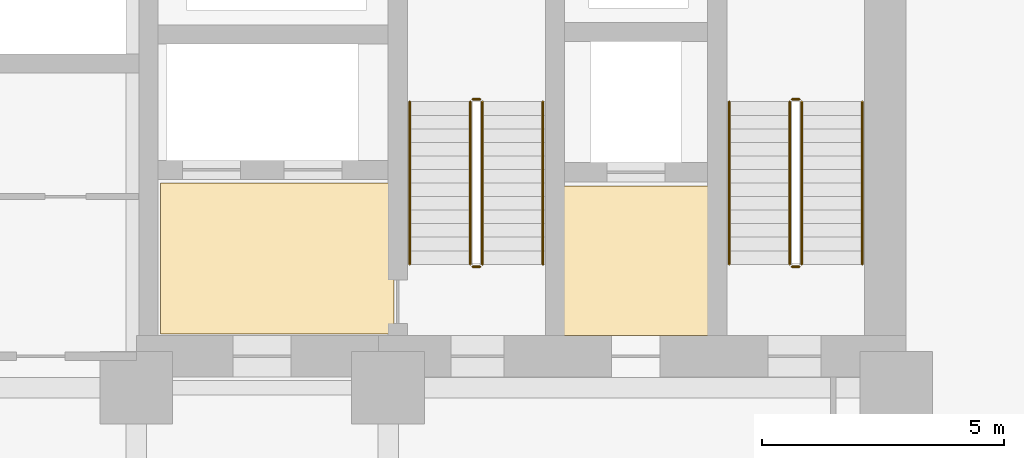
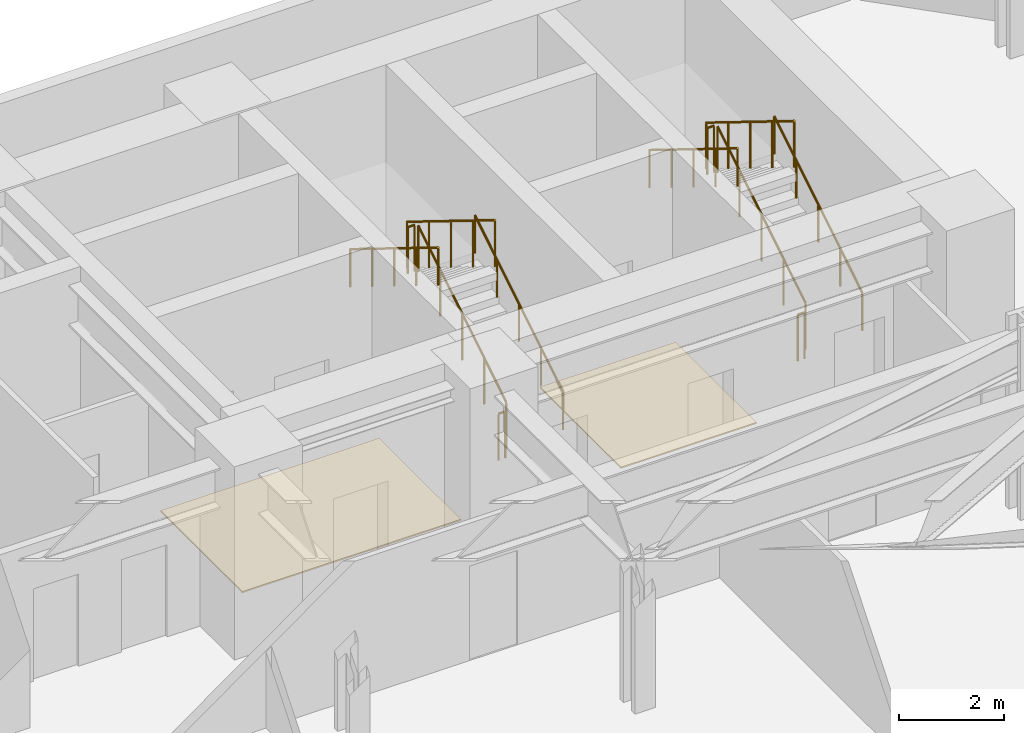
# One storey, part 30 of 30: 12 railings, 2 coverings.
"""IFC4 building model written with IfcOpenShell, lengths in metres."""

from ifc_helpers import new_model, si_unit, direction, frame, origin, origin_2d, place, context, subcontext, project, spatial, polyline, circle, outline, extrude, material, layer, layer_set, type_object, element, save


model = new_model("IFC4")

# Units and contexts
model_context = context("Model", 3, precision=1e-05, world=origin(), true_north=direction((0.0, 1.0)))
body_context = subcontext(model_context, "Body", "Model", "MODEL_VIEW")
ifc_project = project(units=[si_unit("LENGTHUNIT", "METRE"), si_unit("AREAUNIT", "SQUARE_METRE"), si_unit("VOLUMEUNIT", "CUBIC_METRE"), si_unit("PLANEANGLEUNIT", "RADIAN"), si_unit("MASSUNIT", "GRAM", prefix="KILO")], contexts=[model_context])

# Site, building, storey
site_placement = place(None, origin())
site = spatial("IfcSite", under=ifc_project, at=site_placement, CompositionType="ELEMENT")
building_placement = place(site_placement, origin())
building = spatial("IfcBuilding", under=site, at=building_placement, Name="Kravanh Interchange Tower", CompositionType="ELEMENT")
storey_placement = place(building_placement, frame((0.0, 0.0, 19.800048828125)))
storey = spatial("IfcBuildingStorey", under=building, at=storey_placement, Name="L04", CompositionType="ELEMENT", Elevation=19.800048828125)

# Coverings
ifc_material_1 = material(Name="Cementitious Terrazzo Tile")
ifc_layer_1 = layer(ifc_material_1, 0.030029296875)
ifc_layer_set_1 = layer_set([ifc_layer_1], Name="Honed Terrazzo Lobby Flooring 30mm")
covering_type = type_object("IfcCoveringType", Name="Honed Terrazzo Lobby Flooring 30mm", PredefinedType="FLOORING", material=ifc_layer_set_1)
covering_1_placement = place(storey_placement, origin())
element("IfcCovering", 1, at=covering_1_placement, inside=storey, type_object=covering_type, Name="L04 Service Lift Lobby Floor Finish", PredefinedType="FLOORING", context=body_context, shape_type="SweptSolid", body=[
    extrude(outline(polyline([(59.6298828125, 41.52001953125), (62.6201171875, 41.52001953125), (62.6201171875, 38.429931640625), (59.6298828125, 38.429931640625), (59.6298828125, 41.52001953125)])), origin(), (0.0, 0.0, 1.0), 0.030029296875),
])
covering_2_placement = place(storey_placement, origin())
element("IfcCovering", 2, at=covering_2_placement, inside=storey, type_object=covering_type, Name="L04 Firefighting Lobby Floor Finish", PredefinedType="FLOORING", context=body_context, shape_type="SweptSolid", body=[
    extrude(outline(polyline([(56.1201171875, 38.4599609375), (51.300048828125, 38.4599609375), (51.300048828125, 41.580078125), (56.1201171875, 41.580078125), (56.1201171875, 38.4599609375)])), origin(), (0.0, 0.0, 1.0), 0.030029296875),
])

# Railings
ifc_material_2 = material(Name="Structural Steel S355", Category="steel")
ifc_layer_2 = layer(ifc_material_2, 0.050048828125)
ifc_layer_set_2 = layer_set([ifc_layer_2], Name="Stair Well Guardrail Structural Steel S355 1100mm")
railing_type_1 = type_object("IfcRailingType", Name="Stair Well Guardrail Structural Steel S355 1100mm", PredefinedType="GUARDRAIL", material=ifc_layer_set_2)
railing_1_placement = place(storey_placement, frame((64.550048828125, 39.89990234375, 0.173095703125)))
element("IfcRailing", 3, at=railing_1_placement, inside=storey, type_object=railing_type_1, Name="L04 ST1 stair guard 1", PredefinedType="GUARDRAIL", context=body_context, shape_type="SweptSolid", body=[
    extrude(circle(Radius=0.02392578125, at=origin_2d()), frame((0.0, 0.0, 1.076171875), z_axis=(0.0, 0.850623216509, 0.525775754039), x_axis=(-1.0, 0.0, 0.0)), (0.0, 0.0, 1.0), 3.9501953125),
    extrude(circle(Radius=0.02099609375, at=origin_2d()), origin(), (0.0, 0.0, 1.0), 1.052001953125),
    extrude(circle(Radius=0.02099609375, at=origin_2d()), frame((0.0, 0.840087890625, 0.519287109375)), (0.0, 0.0, 1.0), 1.052001953125),
    extrude(circle(Radius=0.02099609375, at=origin_2d()), frame((0.0, 1.68017578125, 1.03857421875)), (0.0, 0.0, 1.0), 1.052001953125),
    extrude(circle(Radius=0.02099609375, at=origin_2d()), frame((0.0, 2.52001953125, 1.5576171875)), (0.0, 0.0, 1.0), 1.052001953125),
    extrude(circle(Radius=0.02099609375, at=origin_2d()), frame((0.0, 3.360107421875, 2.076904296875)), (0.0, 0.0, 1.0), 1.052001953125),
])
railing_2_placement = place(storey_placement, frame((64.5, 43.31005859375, 2.25)))
element("IfcRailing", 4, at=railing_2_placement, inside=storey, type_object=railing_type_1, Name="L04 ST1 stair guard 2", PredefinedType="GUARDRAIL", context=body_context, shape_type="SweptSolid", body=[
    extrude(circle(Radius=0.02392578125, at=origin_2d()), frame((0.0, 0.0, 1.076171875), z_axis=(-1.0, 0.0, 0.0), x_axis=(0.0, -1.0, 0.0)), (0.0, 0.0, 1.0), 0.14990234375),
    extrude(circle(Radius=0.02099609375, at=origin_2d()), origin(), (0.0, 0.0, 1.0), 1.052001953125),
    extrude(circle(Radius=0.02099609375, at=origin_2d()), frame((-0.14990234375, 0.0, 0.0)), (0.0, 0.0, 1.0), 1.052001953125),
])
railing_3_placement = place(storey_placement, frame((64.300048828125, 43.260009765625, 2.423095703125)))
element("IfcRailing", 5, at=railing_3_placement, inside=storey, type_object=railing_type_1, Name="L04 ST1 stair guard 3", PredefinedType="GUARDRAIL", context=body_context, shape_type="SweptSolid", body=[
    extrude(circle(Radius=0.02392578125, at=origin_2d()), frame((0.0, 0.0, 1.076171875), z_axis=(0.0, -0.850623216509, 0.525775754039), x_axis=(1.0, 0.0, 0.0)), (0.0, 0.0, 1.0), 3.9501953125),
    extrude(circle(Radius=0.02099609375, at=origin_2d()), origin(), (0.0, 0.0, 1.0), 1.052001953125),
    extrude(circle(Radius=0.02099609375, at=origin_2d()), frame((0.0, -0.840087890625, 0.519287109375)), (0.0, 0.0, 1.0), 1.052001953125),
    extrude(circle(Radius=0.02099609375, at=origin_2d()), frame((0.0, -1.68017578125, 1.03857421875)), (0.0, 0.0, 1.0), 1.052001953125),
    extrude(circle(Radius=0.02099609375, at=origin_2d()), frame((0.0, -2.52001953125, 1.5576171875)), (0.0, 0.0, 1.0), 1.052001953125),
    extrude(circle(Radius=0.02099609375, at=origin_2d()), frame((0.0, -3.360107421875, 2.076904296875)), (0.0, 0.0, 1.0), 1.052001953125),
])
railing_4_placement = place(storey_placement, frame((64.5, 39.85009765625, 0.0)))
element("IfcRailing", 6, at=railing_4_placement, inside=storey, type_object=railing_type_1, Name="L04 ST1 stair guard 4", PredefinedType="GUARDRAIL", context=body_context, shape_type="SweptSolid", body=[
    extrude(circle(Radius=0.02392578125, at=origin_2d()), frame((0.0, 0.0, 1.076171875), z_axis=(-1.0, 0.0, 0.0), x_axis=(0.0, -1.0, 0.0)), (0.0, 0.0, 1.0), 0.14990234375),
    extrude(circle(Radius=0.02099609375, at=origin_2d()), origin(), (0.0, 0.0, 1.0), 1.052001953125),
    extrude(circle(Radius=0.02099609375, at=origin_2d()), frame((-0.14990234375, 0.0, 0.0)), (0.0, 0.0, 1.0), 1.052001953125),
])
railing_5_placement = place(storey_placement, frame((57.949951171875, 39.89990234375, 0.173095703125)))
element("IfcRailing", 7, at=railing_5_placement, inside=storey, type_object=railing_type_1, Name="L04 ST2 stair guard 1", PredefinedType="GUARDRAIL", context=body_context, shape_type="SweptSolid", body=[
    extrude(circle(Radius=0.02392578125, at=origin_2d()), frame((0.0, 0.0, 1.076171875), z_axis=(0.0, 0.850623216509, 0.525775754039), x_axis=(-1.0, 0.0, 0.0)), (0.0, 0.0, 1.0), 3.9501953125),
    extrude(circle(Radius=0.02099609375, at=origin_2d()), origin(), (0.0, 0.0, 1.0), 1.052001953125),
    extrude(circle(Radius=0.02099609375, at=origin_2d()), frame((0.0, 0.840087890625, 0.519287109375)), (0.0, 0.0, 1.0), 1.052001953125),
    extrude(circle(Radius=0.02099609375, at=origin_2d()), frame((0.0, 1.68017578125, 1.03857421875)), (0.0, 0.0, 1.0), 1.052001953125),
    extrude(circle(Radius=0.02099609375, at=origin_2d()), frame((0.0, 2.52001953125, 1.5576171875)), (0.0, 0.0, 1.0), 1.052001953125),
    extrude(circle(Radius=0.02099609375, at=origin_2d()), frame((0.0, 3.360107421875, 2.076904296875)), (0.0, 0.0, 1.0), 1.052001953125),
])
railing_6_placement = place(storey_placement, frame((57.89990234375, 43.31005859375, 2.25)))
element("IfcRailing", 8, at=railing_6_placement, inside=storey, type_object=railing_type_1, Name="L04 ST2 stair guard 2", PredefinedType="GUARDRAIL", context=body_context, shape_type="SweptSolid", body=[
    extrude(circle(Radius=0.02392578125, at=origin_2d()), frame((0.0, 0.0, 1.076171875), z_axis=(-1.0, 0.0, 0.0), x_axis=(0.0, -1.0, 0.0)), (0.0, 0.0, 1.0), 0.14990234375),
    extrude(circle(Radius=0.02099609375, at=origin_2d()), origin(), (0.0, 0.0, 1.0), 1.052001953125),
    extrude(circle(Radius=0.02099609375, at=origin_2d()), frame((-0.14990234375, 0.0, 0.0)), (0.0, 0.0, 1.0), 1.052001953125),
])
railing_7_placement = place(storey_placement, frame((57.699951171875, 43.260009765625, 2.423095703125)))
element("IfcRailing", 9, at=railing_7_placement, inside=storey, type_object=railing_type_1, Name="L04 ST2 stair guard 3", PredefinedType="GUARDRAIL", context=body_context, shape_type="SweptSolid", body=[
    extrude(circle(Radius=0.02392578125, at=origin_2d()), frame((0.0, 0.0, 1.076171875), z_axis=(0.0, -0.850623216509, 0.525775754039), x_axis=(1.0, 0.0, 0.0)), (0.0, 0.0, 1.0), 3.9501953125),
    extrude(circle(Radius=0.02099609375, at=origin_2d()), origin(), (0.0, 0.0, 1.0), 1.052001953125),
    extrude(circle(Radius=0.02099609375, at=origin_2d()), frame((0.0, -0.840087890625, 0.519287109375)), (0.0, 0.0, 1.0), 1.052001953125),
    extrude(circle(Radius=0.02099609375, at=origin_2d()), frame((0.0, -1.68017578125, 1.03857421875)), (0.0, 0.0, 1.0), 1.052001953125),
    extrude(circle(Radius=0.02099609375, at=origin_2d()), frame((0.0, -2.52001953125, 1.5576171875)), (0.0, 0.0, 1.0), 1.052001953125),
    extrude(circle(Radius=0.02099609375, at=origin_2d()), frame((0.0, -3.360107421875, 2.076904296875)), (0.0, 0.0, 1.0), 1.052001953125),
])
railing_8_placement = place(storey_placement, frame((57.89990234375, 39.85009765625, 0.0)))
element("IfcRailing", 10, at=railing_8_placement, inside=storey, type_object=railing_type_1, Name="L04 ST2 stair guard 4", PredefinedType="GUARDRAIL", context=body_context, shape_type="SweptSolid", body=[
    extrude(circle(Radius=0.02392578125, at=origin_2d()), frame((0.0, 0.0, 1.076171875), z_axis=(-1.0, 0.0, 0.0), x_axis=(0.0, -1.0, 0.0)), (0.0, 0.0, 1.0), 0.14990234375),
    extrude(circle(Radius=0.02099609375, at=origin_2d()), origin(), (0.0, 0.0, 1.0), 1.052001953125),
    extrude(circle(Radius=0.02099609375, at=origin_2d()), frame((-0.14990234375, 0.0, 0.0)), (0.0, 0.0, 1.0), 1.052001953125),
])
ifc_material_3 = material(Name="Stainless Steel 304", Category="steel")
ifc_layer_3 = layer(ifc_material_3, 0.044921875)
ifc_layer_set_3 = layer_set([ifc_layer_3], Name="Tubular Stair Handrail Stainless 304 900mm")
railing_type_2 = type_object("IfcRailingType", Name="Tubular Stair Handrail Stainless 304 900mm", PredefinedType="HANDRAIL", material=ifc_layer_set_3)
railing_9_placement = place(storey_placement, frame((65.800048828125, 39.89990234375, 0.173095703125)))
element("IfcRailing", 11, at=railing_9_placement, inside=storey, type_object=railing_type_2, Name="L04 ST1 stair handrail 1", PredefinedType="HANDRAIL", context=body_context, shape_type="SweptSolid", body=[
    extrude(circle(Radius=0.02392578125, at=origin_2d()), frame((0.0, 0.0, 0.8759765625), z_axis=(0.0, 0.850623216509, 0.525775754039), x_axis=(-1.0, 0.0, 0.0)), (0.0, 0.0, 1.0), 3.9501953125),
    extrude(circle(Radius=0.02099609375, at=origin_2d()), origin(), (0.0, 0.0, 1.0), 0.851806640625),
    extrude(circle(Radius=0.02099609375, at=origin_2d()), frame((0.0, 0.840087890625, 0.519287109375)), (0.0, 0.0, 1.0), 0.851806640625),
    extrude(circle(Radius=0.02099609375, at=origin_2d()), frame((0.0, 1.68017578125, 1.03857421875)), (0.0, 0.0, 1.0), 0.851806640625),
    extrude(circle(Radius=0.02099609375, at=origin_2d()), frame((0.0, 2.52001953125, 1.5576171875)), (0.0, 0.0, 1.0), 0.851806640625),
    extrude(circle(Radius=0.02099609375, at=origin_2d()), frame((0.0, 3.360107421875, 2.076904296875)), (0.0, 0.0, 1.0), 0.851806640625),
])
railing_10_placement = place(storey_placement, frame((63.050048828125, 43.260009765625, 2.423095703125)))
element("IfcRailing", 12, at=railing_10_placement, inside=storey, type_object=railing_type_2, Name="L04 ST1 stair handrail 2", PredefinedType="HANDRAIL", context=body_context, shape_type="SweptSolid", body=[
    extrude(circle(Radius=0.02392578125, at=origin_2d()), frame((0.0, 0.0, 0.8759765625), z_axis=(0.0, -0.850623216509, 0.525775754039), x_axis=(1.0, 0.0, 0.0)), (0.0, 0.0, 1.0), 3.9501953125),
    extrude(circle(Radius=0.02099609375, at=origin_2d()), origin(), (0.0, 0.0, 1.0), 0.851806640625),
    extrude(circle(Radius=0.02099609375, at=origin_2d()), frame((0.0, -0.840087890625, 0.519287109375)), (0.0, 0.0, 1.0), 0.851806640625),
    extrude(circle(Radius=0.02099609375, at=origin_2d()), frame((0.0, -1.68017578125, 1.03857421875)), (0.0, 0.0, 1.0), 0.851806640625),
    extrude(circle(Radius=0.02099609375, at=origin_2d()), frame((0.0, -2.52001953125, 1.5576171875)), (0.0, 0.0, 1.0), 0.851806640625),
    extrude(circle(Radius=0.02099609375, at=origin_2d()), frame((0.0, -3.360107421875, 2.076904296875)), (0.0, 0.0, 1.0), 0.851806640625),
])
railing_11_placement = place(storey_placement, frame((59.199951171875, 39.89990234375, 0.173095703125)))
element("IfcRailing", 13, at=railing_11_placement, inside=storey, type_object=railing_type_2, Name="L04 ST2 stair handrail 1", PredefinedType="HANDRAIL", context=body_context, shape_type="SweptSolid", body=[
    extrude(circle(Radius=0.02392578125, at=origin_2d()), frame((0.0, 0.0, 0.8759765625), z_axis=(0.0, 0.850623216509, 0.525775754039), x_axis=(-1.0, 0.0, 0.0)), (0.0, 0.0, 1.0), 3.9501953125),
    extrude(circle(Radius=0.02099609375, at=origin_2d()), origin(), (0.0, 0.0, 1.0), 0.851806640625),
    extrude(circle(Radius=0.02099609375, at=origin_2d()), frame((0.0, 0.840087890625, 0.519287109375)), (0.0, 0.0, 1.0), 0.851806640625),
    extrude(circle(Radius=0.02099609375, at=origin_2d()), frame((0.0, 1.68017578125, 1.03857421875)), (0.0, 0.0, 1.0), 0.851806640625),
    extrude(circle(Radius=0.02099609375, at=origin_2d()), frame((0.0, 2.52001953125, 1.5576171875)), (0.0, 0.0, 1.0), 0.851806640625),
    extrude(circle(Radius=0.02099609375, at=origin_2d()), frame((0.0, 3.360107421875, 2.076904296875)), (0.0, 0.0, 1.0), 0.851806640625),
])
railing_12_placement = place(storey_placement, frame((56.449951171875, 43.260009765625, 2.423095703125)))
element("IfcRailing", 14, at=railing_12_placement, inside=storey, type_object=railing_type_2, Name="L04 ST2 stair handrail 2", PredefinedType="HANDRAIL", context=body_context, shape_type="SweptSolid", body=[
    extrude(circle(Radius=0.02392578125, at=origin_2d()), frame((0.0, 0.0, 0.8759765625), z_axis=(0.0, -0.850623216509, 0.525775754039), x_axis=(1.0, 0.0, 0.0)), (0.0, 0.0, 1.0), 3.9501953125),
    extrude(circle(Radius=0.02099609375, at=origin_2d()), origin(), (0.0, 0.0, 1.0), 0.851806640625),
    extrude(circle(Radius=0.02099609375, at=origin_2d()), frame((0.0, -0.840087890625, 0.519287109375)), (0.0, 0.0, 1.0), 0.851806640625),
    extrude(circle(Radius=0.02099609375, at=origin_2d()), frame((0.0, -1.68017578125, 1.03857421875)), (0.0, 0.0, 1.0), 0.851806640625),
    extrude(circle(Radius=0.02099609375, at=origin_2d()), frame((0.0, -2.52001953125, 1.5576171875)), (0.0, 0.0, 1.0), 0.851806640625),
    extrude(circle(Radius=0.02099609375, at=origin_2d()), frame((0.0, -3.360107421875, 2.076904296875)), (0.0, 0.0, 1.0), 0.851806640625),
])

save(model, "model.ifc")
